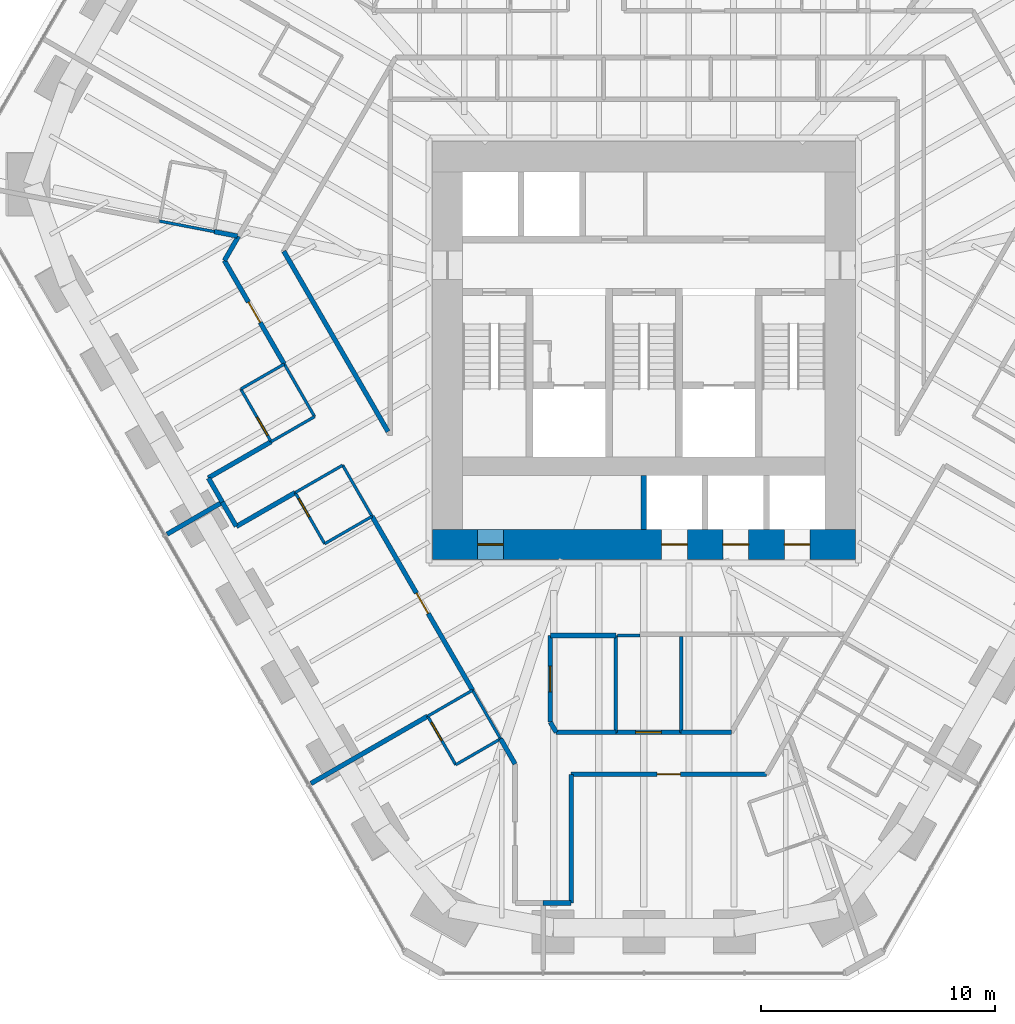
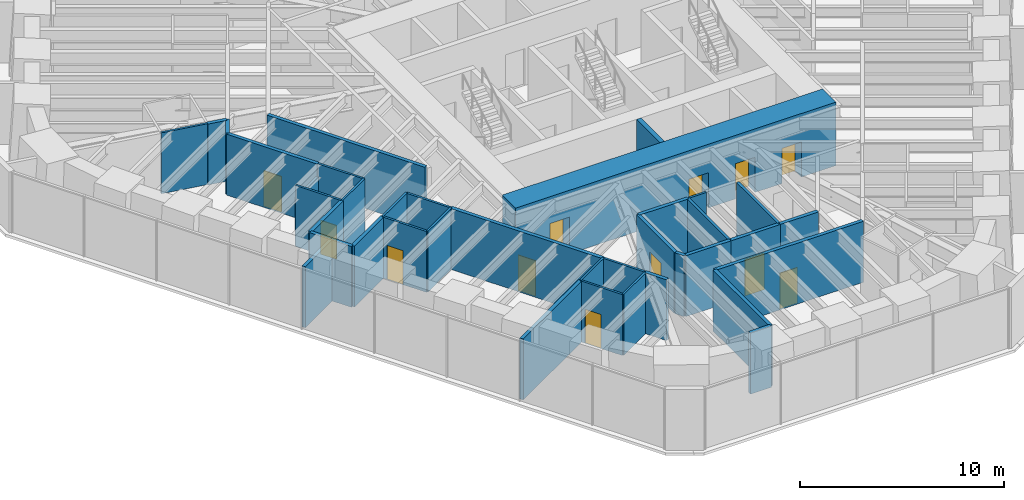
# One storey, part 11 of 18: 39 walls, 12 doors, 12 openings.
"""IFC4 building model written with IfcOpenShell, lengths in metres."""

from ifc_helpers import new_model, si_unit, direction, frame, frame_2d, origin, place, context, subcontext, project, spatial, rectangle, extrude, material, layer, layer_set, type_object, element, fill, save


model = new_model("IFC4")

# Units and contexts
model_context = context("Model", 3, precision=1e-05, world=origin(), true_north=direction((0.0, 1.0)))
body_context = subcontext(model_context, "Body", "Model", "MODEL_VIEW")
ifc_project = project(units=[si_unit("LENGTHUNIT", "METRE"), si_unit("AREAUNIT", "SQUARE_METRE"), si_unit("VOLUMEUNIT", "CUBIC_METRE"), si_unit("PLANEANGLEUNIT", "RADIAN"), si_unit("MASSUNIT", "GRAM", prefix="KILO")], contexts=[model_context])

# Site, building, storey
site_placement = place(None, origin())
site = spatial("IfcSite", under=ifc_project, at=site_placement, CompositionType="ELEMENT")
building_placement = place(site_placement, origin())
building = spatial("IfcBuilding", under=site, at=building_placement, Name="Sandreach Pilgrim Tower", CompositionType="ELEMENT")
storey_placement = place(building_placement, frame((0.0, 0.0, 157.60009765625)))
storey = spatial("IfcBuildingStorey", under=building, at=storey_placement, Name="L39", CompositionType="ELEMENT", Elevation=157.60009765625)

# Walls
ifc_material_1 = material(Name="Gypsum board on steel studs", Category="steel")
ifc_layer_1 = layer(ifc_material_1, 0.14990234375)
ifc_layer_set_1 = layer_set([ifc_layer_1], Name="Back of house wall 150")
wall_type_1 = type_object("IfcWallType", Name="Back of house wall 150", PredefinedType="PARTITIONING", material=ifc_layer_set_1)
wall_1_placement = place(storey_placement, frame((-1.199951171875, -13.75, 0.0), z_axis=(0.0, 0.0, 1.0), x_axis=(0.0, -1.0, 0.0)))
element("IfcWall", 1, at=wall_1_placement, inside=storey, type_object=wall_type_1, Name="Back of house wall L39-078", PredefinedType="PARTITIONING", context=body_context, shape_type="SweptSolid", body=[
    extrude(rectangle(XDim=4.139892578125, YDim=0.14990234375, at=frame_2d((2.06982421875, 0.0))), origin(), (0.0, 0.0, 1.0), 3.639892578125),
])
wall_2_placement = place(storey_placement, frame((1.60009765625, -13.800048828125, 0.0), z_axis=(0.0, 0.0, 1.0), x_axis=(0.0, -1.0, 0.0)))
element("IfcWall", 2, at=wall_2_placement, inside=storey, type_object=wall_type_1, Name="Back of house wall L39-083", PredefinedType="PARTITIONING", context=body_context, shape_type="SweptSolid", body=[
    extrude(rectangle(XDim=4.08984375, YDim=0.14990234375, at=frame_2d((2.044921875, 0.0))), origin(), (0.0, 0.0, 1.0), 3.639892578125),
])
ifc_material_2 = material(Name="Moisture-resistant gypsum board on steel studs", Category="steel")
ifc_layer_2 = layer(ifc_material_2, 0.1201171875)
ifc_layer_set_2 = layer_set([ifc_layer_2], Name="Bathroom partition 120")
wall_type_2 = type_object("IfcWallType", Name="Bathroom partition 120", PredefinedType="PARTITIONING", material=ifc_layer_set_2)
wall_3_placement = place(storey_placement, frame((-20.72998046875, 3.989990234375, 0.0), z_axis=(0.0, 0.0, 1.0), x_axis=(0.982021000234, -0.188771701001, 0.0)))
element("IfcWall", 3, at=wall_3_placement, inside=storey, type_object=wall_type_2, Name="Bathroom partition L39-003", PredefinedType="PARTITIONING", context=body_context, shape_type="SweptSolid", body=[
    extrude(rectangle(XDim=2.392578125, YDim=0.1201171875, at=frame_2d((1.1962890625, 0.0))), origin(), (0.0, 0.0, 1.0), 3.639892578125),
])

# Wall, opening, door
wall_4_placement = place(storey_placement, frame((-17.25, -3.199951171875, 0.0), z_axis=(0.0, 0.0, 1.0), x_axis=(0.500291685314, -0.865856933682, 0.0)))
wall_4 = element("IfcWall", 4, at=wall_4_placement, inside=storey, type_object=wall_type_2, Name="Bathroom partition L39-021", PredefinedType="PARTITIONING", context=body_context, shape_type="SweptSolid", body=[
    extrude(rectangle(XDim=2.5986328125, YDim=0.1201171875, at=frame_2d((1.29931640625, 0.0))), origin(), (0.0, 0.0, 1.0), 3.639892578125),
])
opening_1_placement = place(wall_4_placement, frame((1.398681640625, 0.0, 0.0)))
opening_1 = element("IfcOpeningElement", 5, at=opening_1_placement, cuts=wall_4, Name="Opening D09-13B", PredefinedType="OPENING", context=body_context, shape_type="SweptSolid", body=[
    extrude(rectangle(XDim=0.89990234375, YDim=2.030029296875, at=frame_2d((0.449951171875, 1.01513671875))), frame((0.0, 0.06005859375, 0.0), z_axis=(0.0, -1.0, 0.0), x_axis=(1.0, 0.0, 0.0)), (0.0, 0.0, 1.0), 0.1201171875),
])
ifc_material_3 = material(Name="Timber door, steel frame", Category="steel")
door_type_1 = type_object("IfcDoorType", Name="Bathroom door", OperationType="SINGLE_SWING_LEFT", PredefinedType="DOOR", material=ifc_material_3)
door_1_placement = place(opening_1_placement, origin())
door_1 = element("IfcDoor", 6, at=door_1_placement, inside=storey, type_object=door_type_1, Name="Door 3913B", OperationType="SINGLE_SWING_RIGHT", OverallHeight=2.030029296875, OverallWidth=0.89990234375, PredefinedType="DOOR", context=body_context, shape_type="SweptSolid", body=[
    extrude(rectangle(XDim=0.89990234375, YDim=2.030029296875, at=frame_2d((0.449951171875, 1.01513671875))), frame((0.0, 0.02490234375, 0.0), z_axis=(0.0, -1.0, 0.0), x_axis=(1.0, 0.0, 0.0)), (0.0, 0.0, 1.0), 0.050048828125),
])
fill(opening_1, door_1)

# Walls
wall_5_placement = place(storey_placement, frame((-15.949462890625, -5.45068359375, 0.0), z_axis=(0.0, 0.0, 1.0), x_axis=(0.866620965835, 0.498967034557, 0.0)))
element("IfcWall", 7, at=wall_5_placement, inside=storey, type_object=wall_type_2, Name="Bathroom partition L39-023", PredefinedType="PARTITIONING", context=body_context, shape_type="SweptSolid", body=[
    extrude(rectangle(XDim=2.1455078125, YDim=0.1201171875, at=frame_2d((1.07275390625, 0.0))), origin(), (0.0, 0.0, 1.0), 3.639892578125),
])
wall_6_placement = place(storey_placement, frame((-15.389892578125, -2.1298828125, 0.0), z_axis=(0.0, 0.0, 1.0), x_axis=(-0.866804272416, -0.498648526841, 0.0)))
element("IfcWall", 8, at=wall_6_placement, inside=storey, type_object=wall_type_2, Name="Bathroom partition L39-026", PredefinedType="PARTITIONING", context=body_context, shape_type="SweptSolid", body=[
    extrude(rectangle(XDim=2.14599609375, YDim=0.1201171875, at=frame_2d((1.072998046875, 0.0))), origin(), (0.0, 0.0, 1.0), 2.8779296875),
])
wall_7_placement = place(storey_placement, frame((-15.389892578125, -2.1298828125, 0.0), z_axis=(0.0, 0.0, 1.0), x_axis=(0.500180550803, -0.865921137632, 0.0)))
element("IfcWall", 9, at=wall_7_placement, inside=storey, type_object=wall_type_2, Name="Bathroom partition L39-027", PredefinedType="PARTITIONING", context=body_context, shape_type="SweptSolid", body=[
    extrude(rectangle(XDim=2.5986328125, YDim=0.1201171875, at=frame_2d((1.29931640625, 0.0))), origin(), (0.0, 0.0, 1.0), 3.639892578125),
])

# Wall, opening, door
wall_8_placement = place(storey_placement, frame((-14.919921875, -7.6298828125, 0.0), z_axis=(0.0, 0.0, 1.0), x_axis=(0.498665353881, -0.866794592068, 0.0)))
wall_8 = element("IfcWall", 10, at=wall_8_placement, inside=storey, type_object=wall_type_2, Name="Bathroom partition L39-030", PredefinedType="PARTITIONING", context=body_context, shape_type="SweptSolid", body=[
    extrude(rectangle(XDim=2.52685546875, YDim=0.1201171875, at=frame_2d((1.263427734375, 0.0))), origin(), (0.0, 0.0, 1.0), 3.639892578125),
])
opening_2_placement = place(wall_8_placement, frame((0.300048828125, 0.0, 0.0)))
opening_2 = element("IfcOpeningElement", 11, at=opening_2_placement, cuts=wall_8, Name="Opening D09-12B", PredefinedType="OPENING", context=body_context, shape_type="SweptSolid", body=[
    extrude(rectangle(XDim=0.89990234375, YDim=2.030029296875, at=frame_2d((0.449951171875, 1.01513671875))), frame((0.0, 0.06005859375, 0.0), z_axis=(0.0, -1.0, 0.0), x_axis=(1.0, 0.0, 0.0)), (0.0, 0.0, 1.0), 0.1201171875),
])
door_2_placement = place(opening_2_placement, origin())
door_2 = element("IfcDoor", 12, at=door_2_placement, inside=storey, type_object=door_type_1, Name="Door 3912B", OperationType="SINGLE_SWING_LEFT", OverallHeight=2.030029296875, OverallWidth=0.89990234375, PredefinedType="DOOR", context=body_context, shape_type="SweptSolid", body=[
    extrude(rectangle(XDim=0.89990234375, YDim=2.030029296875, at=frame_2d((0.449951171875, 1.01513671875))), frame((0.0, 0.02490234375, 0.0), z_axis=(0.0, -1.0, 0.0), x_axis=(1.0, 0.0, 0.0)), (0.0, 0.0, 1.0), 0.050048828125),
])
fill(opening_2, door_2)

# Walls
wall_9_placement = place(storey_placement, frame((-14.919921875, -7.6298828125, 0.0), z_axis=(0.0, 0.0, 1.0), x_axis=(0.866390229467, 0.499367570316, 0.0)))
element("IfcWall", 13, at=wall_9_placement, inside=storey, type_object=wall_type_2, Name="Bathroom partition L39-031", PredefinedType="PARTITIONING", context=body_context, shape_type="SweptSolid", body=[
    extrude(rectangle(XDim=2.3427734375, YDim=0.1201171875, at=frame_2d((1.17138671875, 0.0))), origin(), (0.0, 0.0, 1.0), 3.639892578125),
])
wall_10_placement = place(storey_placement, frame((-13.659912109375, -9.820068359375, 0.0), z_axis=(0.0, 0.0, 1.0), x_axis=(0.866345142729, 0.499445786517, 0.0)))
element("IfcWall", 14, at=wall_10_placement, inside=storey, type_object=wall_type_2, Name="Bathroom partition L39-035", PredefinedType="PARTITIONING", context=body_context, shape_type="SweptSolid", body=[
    extrude(rectangle(XDim=2.343017578125, YDim=0.1201171875, at=frame_2d((1.17138671875, 0.0))), origin(), (0.0, 0.0, 1.0), 3.639892578125),
])
wall_11_placement = place(storey_placement, frame((-12.889892578125, -6.4599609375, 0.0), z_axis=(0.0, 0.0, 1.0), x_axis=(0.498707120669, -0.866770562372, 0.0)))
element("IfcWall", 15, at=wall_11_placement, inside=storey, type_object=wall_type_2, Name="Bathroom partition L39-036", PredefinedType="PARTITIONING", context=body_context, shape_type="SweptSolid", body=[
    extrude(rectangle(XDim=2.526611328125, YDim=0.1201171875, at=frame_2d((1.26318359375, 0.0))), origin(), (0.0, 0.0, 1.0), 3.639892578125),
])

# Wall, opening, door
wall_12_placement = place(storey_placement, frame((-9.25, -17.199951171875, 0.0), z_axis=(0.0, 0.0, 1.0), x_axis=(0.499693115345, -0.866202511239, 0.0)))
wall_12 = element("IfcWall", 16, at=wall_12_placement, inside=storey, type_object=wall_type_2, Name="Bathroom partition L39-047", PredefinedType="PARTITIONING", context=body_context, shape_type="SweptSolid", body=[
    extrude(rectangle(XDim=2.4013671875, YDim=0.1201171875, at=frame_2d((1.20068359375, 0.0))), origin(), (0.0, 0.0, 1.0), 3.639892578125),
])
opening_3_placement = place(wall_12_placement, frame((0.300048828125, 0.0, 0.0)))
opening_3 = element("IfcOpeningElement", 17, at=opening_3_placement, cuts=wall_12, Name="Opening D09-11B", PredefinedType="OPENING", context=body_context, shape_type="SweptSolid", body=[
    extrude(rectangle(XDim=0.89990234375, YDim=2.030029296875, at=frame_2d((0.449951171875, 1.01513671875))), frame((0.0, 0.06005859375, 0.0), z_axis=(0.0, -1.0, 0.0), x_axis=(1.0, 0.0, 0.0)), (0.0, 0.0, 1.0), 0.1201171875),
])
door_3_placement = place(opening_3_placement, origin())
door_3 = element("IfcDoor", 18, at=door_3_placement, inside=storey, type_object=door_type_1, Name="Door 3911B", OperationType="SINGLE_SWING_LEFT", OverallHeight=2.030029296875, OverallWidth=0.89990234375, PredefinedType="DOOR", context=body_context, shape_type="SweptSolid", body=[
    extrude(rectangle(XDim=0.89990234375, YDim=2.030029296875, at=frame_2d((0.449951171875, 1.01513671875))), frame((0.0, 0.02490234375, 0.0), z_axis=(0.0, -1.0, 0.0), x_axis=(1.0, 0.0, 0.0)), (0.0, 0.0, 1.0), 0.050048828125),
])
fill(opening_3, door_3)

# Walls
wall_13_placement = place(storey_placement, frame((-9.25, -17.199951171875, 0.0), z_axis=(0.0, 0.0, 1.0), x_axis=(0.86575271903, 0.500472006703, 0.0)))
element("IfcWall", 19, at=wall_13_placement, inside=storey, type_object=wall_type_2, Name="Bathroom partition L39-048", PredefinedType="PARTITIONING", context=body_context, shape_type="SweptSolid", body=[
    extrude(rectangle(XDim=2.217529296875, YDim=0.1201171875, at=frame_2d((1.10888671875, 0.0))), origin(), (0.0, 0.0, 1.0), 3.639892578125),
])
wall_14_placement = place(storey_placement, frame((-8.050048828125, -19.280029296875, 0.0), z_axis=(0.0, 0.0, 1.0), x_axis=(0.865732595383, 0.500506816428, 0.0)))
element("IfcWall", 20, at=wall_14_placement, inside=storey, type_object=wall_type_2, Name="Bathroom partition L39-051", PredefinedType="PARTITIONING", context=body_context, shape_type="SweptSolid", body=[
    extrude(rectangle(XDim=2.218017578125, YDim=0.1201171875, at=frame_2d((1.10888671875, 0.0))), origin(), (0.0, 0.0, 1.0), 3.639892578125),
])
wall_15_placement = place(storey_placement, frame((-7.330078125, -16.090087890625, 0.0), z_axis=(0.0, 0.0, 1.0), x_axis=(0.499737123639, -0.866177122335, 0.0)))
element("IfcWall", 21, at=wall_15_placement, inside=storey, type_object=wall_type_2, Name="Bathroom partition L39-052", PredefinedType="PARTITIONING", context=body_context, shape_type="SweptSolid", body=[
    extrude(rectangle(XDim=2.401123046875, YDim=0.1201171875, at=frame_2d((1.20068359375, 0.0))), origin(), (0.0, 0.0, 1.0), 3.639892578125),
])
wall_16_placement = place(storey_placement, frame((-1.125, -13.75, 0.0), z_axis=(0.0, 0.0, 1.0), x_axis=(1.0, 0.0, 0.0)))
element("IfcWall", 22, at=wall_16_placement, inside=storey, type_object=wall_type_2, Name="Bathroom partition L39-079", PredefinedType="PARTITIONING", context=body_context, shape_type="SweptSolid", body=[
    extrude(rectangle(XDim=0.955078125, YDim=0.1201171875, at=frame_2d((0.4775390625, 0.0))), origin(), (0.0, 0.0, 1.0), 3.639892578125),
])

# Wall, openings, doors
ifc_material_4 = material(Name="Concrete 10000 psi", Category="concrete")
ifc_layer_3 = layer(ifc_material_4, 1.300048828125)
ifc_layer_set_3 = layer_set([ifc_layer_3], Name="Core wall 1300")
wall_type_3 = type_object("IfcWallType", Name="Core wall 1300", PredefinedType="SHEAR", material=ifc_layer_set_3)
wall_17_placement = place(storey_placement, frame((-9.050048828125, -9.85009765625, 0.0), z_axis=(0.0, 0.0, 1.0), x_axis=(1.0, 0.0, 0.0)))
wall_17 = element("IfcWall", 23, at=wall_17_placement, inside=storey, type_object=wall_type_3, Name="Core wall S L39", PredefinedType="SHEAR", context=body_context, shape_type="SweptSolid", body=[
    extrude(rectangle(XDim=18.10009765625, YDim=1.300048828125, at=frame_2d((9.050048828125, 0.0))), origin(), (0.0, 0.0, 1.0), 3.7998046875),
])
opening_4_placement = place(wall_17_placement, frame((1.9375, 0.0, 0.0)))
opening_4 = element("IfcOpeningElement", 24, at=opening_4_placement, cuts=wall_17, Name="Opening D11H", PredefinedType="OPENING", context=body_context, shape_type="SweptSolid", body=[
    extrude(rectangle(XDim=1.10009765625, YDim=2.199951171875, at=frame_2d((0.550048828125, 1.10009765625))), frame((0.0, 0.64990234375, 0.0), z_axis=(0.0, -1.0, 0.0), x_axis=(1.0, 0.0, 0.0)), (0.0, 0.0, 1.0), 1.300048828125),
])
opening_5_placement = place(wall_17_placement, frame((9.8125, 0.0, 0.0)))
opening_5 = element("IfcOpeningElement", 25, at=opening_5_placement, cuts=wall_17, Name="Opening LD11", PredefinedType="OPENING", context=body_context, shape_type="SweptSolid", body=[
    extrude(rectangle(XDim=1.10009765625, YDim=2.10009765625, at=frame_2d((0.550048828125, 1.050048828125))), frame((0.0, 0.64990234375, 0.0), z_axis=(0.0, -1.0, 0.0), x_axis=(1.0, 0.0, 0.0)), (0.0, 0.0, 1.0), 1.300048828125),
])
opening_6_placement = place(wall_17_placement, frame((12.4375, 0.0, 0.0)))
opening_6 = element("IfcOpeningElement", 26, at=opening_6_placement, cuts=wall_17, Name="Opening LD11", PredefinedType="OPENING", context=body_context, shape_type="SweptSolid", body=[
    extrude(rectangle(XDim=1.10009765625, YDim=2.10009765625, at=frame_2d((0.550048828125, 1.050048828125))), frame((0.0, 0.64990234375, 0.0), z_axis=(0.0, -1.0, 0.0), x_axis=(1.0, 0.0, 0.0)), (0.0, 0.0, 1.0), 1.300048828125),
])
opening_7_placement = place(wall_17_placement, frame((15.0625, 0.0, 0.0)))
opening_7 = element("IfcOpeningElement", 27, at=opening_7_placement, cuts=wall_17, Name="Opening LD11", PredefinedType="OPENING", context=body_context, shape_type="SweptSolid", body=[
    extrude(rectangle(XDim=1.10009765625, YDim=2.10009765625, at=frame_2d((0.550048828125, 1.050048828125))), frame((0.0, 0.64990234375, 0.0), z_axis=(0.0, -1.0, 0.0), x_axis=(1.0, 0.0, 0.0)), (0.0, 0.0, 1.0), 1.300048828125),
])
ifc_material_5 = material(Name="Steel door and frame", Category="steel")
door_type_2 = type_object("IfcDoorType", Name="Back of house door", OperationType="SINGLE_SWING_LEFT", PredefinedType="DOOR", material=ifc_material_5)
door_4_placement = place(opening_4_placement, origin())
door_4 = element("IfcDoor", 28, at=door_4_placement, inside=storey, type_object=door_type_2, Name="Door staff room 39K3", OperationType="SINGLE_SWING_LEFT", OverallHeight=2.199951171875, OverallWidth=1.10009765625, PredefinedType="DOOR", context=body_context, shape_type="SweptSolid", body=[
    extrude(rectangle(XDim=1.10009765625, YDim=2.199951171875, at=frame_2d((0.550048828125, 1.10009765625))), frame((0.0, 0.02490234375, 0.0), z_axis=(0.0, -1.0, 0.0), x_axis=(1.0, 0.0, 0.0)), (0.0, 0.0, 1.0), 0.050048828125),
])
fill(opening_4, door_4)
ifc_material_6 = material(Name="Steel door and frame", Category="steel")
door_type_3 = type_object("IfcDoorType", Name="Lift landing door", OperationType="DOUBLE_DOOR_SLIDING", PredefinedType="DOOR", material=ifc_material_6)
door_5_placement = place(opening_5_placement, origin())
door_5 = element("IfcDoor", 29, at=door_5_placement, inside=storey, type_object=door_type_3, Name="Lift landing door Z2A L39", OperationType="DOUBLE_DOOR_SLIDING", OverallHeight=2.10009765625, OverallWidth=1.10009765625, PredefinedType="DOOR", context=body_context, shape_type="SweptSolid", body=[
    extrude(rectangle(XDim=1.10009765625, YDim=2.10009765625, at=frame_2d((0.550048828125, 1.050048828125))), frame((0.0, 0.02490234375, 0.0), z_axis=(0.0, -1.0, 0.0), x_axis=(1.0, 0.0, 0.0)), (0.0, 0.0, 1.0), 0.050048828125),
])
fill(opening_5, door_5)
door_6_placement = place(opening_6_placement, origin())
door_6 = element("IfcDoor", 30, at=door_6_placement, inside=storey, type_object=door_type_3, Name="Lift landing door Z2B L39", OperationType="DOUBLE_DOOR_SLIDING", OverallHeight=2.10009765625, OverallWidth=1.10009765625, PredefinedType="DOOR", context=body_context, shape_type="SweptSolid", body=[
    extrude(rectangle(XDim=1.10009765625, YDim=2.10009765625, at=frame_2d((0.550048828125, 1.050048828125))), frame((0.0, 0.02490234375, 0.0), z_axis=(0.0, -1.0, 0.0), x_axis=(1.0, 0.0, 0.0)), (0.0, 0.0, 1.0), 0.050048828125),
])
fill(opening_6, door_6)
door_7_placement = place(opening_7_placement, origin())
door_7 = element("IfcDoor", 31, at=door_7_placement, inside=storey, type_object=door_type_3, Name="Lift landing door Z2C L39", OperationType="DOUBLE_DOOR_SLIDING", OverallHeight=2.10009765625, OverallWidth=1.10009765625, PredefinedType="DOOR", context=body_context, shape_type="SweptSolid", body=[
    extrude(rectangle(XDim=1.10009765625, YDim=2.10009765625, at=frame_2d((0.550048828125, 1.050048828125))), frame((0.0, 0.02490234375, 0.0), z_axis=(0.0, -1.0, 0.0), x_axis=(1.0, 0.0, 0.0)), (0.0, 0.0, 1.0), 0.050048828125),
])
fill(opening_7, door_7)

# Walls
ifc_material_7 = material(Name="Gypsum board on steel studs, two layers each side", Category="steel")
ifc_layer_4 = layer(ifc_material_7, 0.199951171875)
ifc_layer_set_4 = layer_set([ifc_layer_4], Name="Corridor wall 200")
wall_type_4 = type_object("IfcWallType", Name="Corridor wall 200", PredefinedType="PARTITIONING", material=ifc_layer_set_4)
wall_18_placement = place(storey_placement, frame((-18.639892578125, -7.0, 0.0), z_axis=(0.0, 0.0, 1.0), x_axis=(0.866583298242, 0.499032451057, 0.0)))
element("IfcWall", 32, at=wall_18_placement, inside=storey, type_object=wall_type_4, Name="Corridor wall L39-011", PredefinedType="PARTITIONING", context=body_context, shape_type="SweptSolid", body=[
    extrude(rectangle(XDim=3.104736328125, YDim=0.199951171875, at=frame_2d((1.55224609375, 0.0))), origin(), (0.0, 0.0, 1.0), 3.639892578125),
])
for number, where, z_axis, x_axis, name in (
    (33, (-18.632568359375, -7.012939453125, 0.0), (0.0, 0.0, 1.0), (0.499704629046, -0.866195869137, 0.0), "Corridor wall L39-012"),
    (34, (-18.0400390625, -8.0400390625, 0.0), (0.0, 0.0, 1.0), (0.499704629046, -0.866195869137, 0.0), "Corridor wall L39-015"),
):
    element("IfcWall", number, at=place(storey_placement, frame(where, z_axis=z_axis, x_axis=x_axis)), inside=storey, type_object=wall_type_4, Name=name, PredefinedType="PARTITIONING", context=body_context, shape_type="SweptSolid", body=[
        extrude(rectangle(XDim=1.185791015625, YDim=0.199951171875, at=frame_2d((0.5927734375, 0.0))), origin(), (0.0, 0.0, 1.0), 3.639892578125),
    ])
wall_19_placement = place(storey_placement, frame((-17.949951171875, 2.300048828125, 0.0), z_axis=(0.0, 0.0, 1.0), x_axis=(0.500795801589, 0.865565459749, 0.0)))
element("IfcWall", 35, at=wall_19_placement, inside=storey, type_object=wall_type_4, Name="Corridor wall L39-016", PredefinedType="PARTITIONING", context=body_context, shape_type="SweptSolid", body=[
    extrude(rectangle(XDim=1.20068359375, YDim=0.199951171875, at=frame_2d((0.600341796875, 0.0))), origin(), (0.0, 0.0, 1.0), 3.639892578125),
])

# Wall, opening, door
wall_20_placement = place(storey_placement, frame((-17.949951171875, 2.300048828125, 0.0), z_axis=(0.0, 0.0, 1.0), x_axis=(0.500336423072, -0.865831082687, 0.0)))
wall_20 = element("IfcWall", 36, at=wall_20_placement, inside=storey, type_object=wall_type_4, Name="Corridor wall L39-017", PredefinedType="PARTITIONING", context=body_context, shape_type="SweptSolid", body=[
    extrude(rectangle(XDim=5.11669921875, YDim=0.199951171875, at=frame_2d((2.558349609375, 0.0))), origin(), (0.0, 0.0, 1.0), 3.639892578125),
])
opening_8_placement = place(wall_20_placement, frame((2.058349609375, 0.0, 0.0)))
opening_8 = element("IfcOpeningElement", 37, at=opening_8_placement, cuts=wall_20, Name="Opening D10-13", PredefinedType="OPENING", context=body_context, shape_type="SweptSolid", body=[
    extrude(rectangle(XDim=1.0, YDim=2.1298828125, at=frame_2d((0.5, 1.06494140625))), frame((0.0, 0.10009765625, 0.0), z_axis=(0.0, -1.0, 0.0), x_axis=(1.0, 0.0, 0.0)), (0.0, 0.0, 1.0), 0.199951171875),
])
ifc_material_8 = material(Name="Steel door and frame", Category="steel")
door_type_4 = type_object("IfcDoorType", Name="Guest room entry door", OperationType="SINGLE_SWING_LEFT", PredefinedType="DOOR", material=ifc_material_8)
door_8_placement = place(opening_8_placement, origin())
door_8 = element("IfcDoor", 38, at=door_8_placement, inside=storey, type_object=door_type_4, Name="Door 3913", OperationType="SINGLE_SWING_LEFT", OverallHeight=2.1298828125, OverallWidth=1.0, PredefinedType="DOOR", context=body_context, shape_type="SweptSolid", body=[
    extrude(rectangle(XDim=1.0, YDim=2.1298828125, at=frame_2d((0.5, 1.06494140625))), frame((0.0, 0.02490234375, 0.0), z_axis=(0.0, -1.0, 0.0), x_axis=(1.0, 0.0, 0.0)), (0.0, 0.0, 1.0), 0.050048828125),
])
fill(opening_8, door_8)

# Wall
wall_21_placement = place(storey_placement, frame((-17.43994140625, -9.080078125, 0.0), z_axis=(0.0, 0.0, 1.0), x_axis=(0.866730264696, 0.498777152906, 0.0)))
element("IfcWall", 39, at=wall_21_placement, inside=storey, type_object=wall_type_4, Name="Corridor wall L39-019", PredefinedType="PARTITIONING", context=body_context, shape_type="SweptSolid", body=[
    extrude(rectangle(XDim=2.907470703125, YDim=0.199951171875, at=frame_2d((1.45361328125, 0.0))), origin(), (0.0, 0.0, 1.0), 3.639892578125),
])

# Wall, opening, door
wall_22_placement = place(storey_placement, frame((-11.6298828125, -8.64990234375, 0.0), z_axis=(0.0, 0.0, 1.0), x_axis=(0.500367528775, -0.865813106939, 0.0)))
wall_22 = element("IfcWall", 40, at=wall_22_placement, inside=storey, type_object=wall_type_4, Name="Corridor wall L39-038", PredefinedType="PARTITIONING", context=body_context, shape_type="SweptSolid", body=[
    extrude(rectangle(XDim=8.59326171875, YDim=0.199951171875, at=frame_2d((4.296630859375, 0.0))), origin(), (0.0, 0.0, 1.0), 3.639892578125),
])
opening_9_placement = place(wall_22_placement, frame((3.796630859375, 0.0, 0.0)))
opening_9 = element("IfcOpeningElement", 41, at=opening_9_placement, cuts=wall_22, Name="Opening D10-12", PredefinedType="OPENING", context=body_context, shape_type="SweptSolid", body=[
    extrude(rectangle(XDim=1.0, YDim=2.1298828125, at=frame_2d((0.5, 1.06494140625))), frame((0.0, 0.10009765625, 0.0), z_axis=(0.0, -1.0, 0.0), x_axis=(1.0, 0.0, 0.0)), (0.0, 0.0, 1.0), 0.199951171875),
])
door_9_placement = place(opening_9_placement, origin())
door_9 = element("IfcDoor", 42, at=door_9_placement, inside=storey, type_object=door_type_4, Name="Door 3912", OperationType="SINGLE_SWING_LEFT", OverallHeight=2.1298828125, OverallWidth=1.0, PredefinedType="DOOR", context=body_context, shape_type="SweptSolid", body=[
    extrude(rectangle(XDim=1.0, YDim=2.1298828125, at=frame_2d((0.5, 1.06494140625))), frame((0.0, 0.02490234375, 0.0), z_axis=(0.0, -1.0, 0.0), x_axis=(1.0, 0.0, 0.0)), (0.0, 0.0, 1.0), 0.050048828125),
])
fill(opening_9, door_9)

# Walls
wall_23_placement = place(storey_placement, frame((-10.947509765625, -5.021240234375, 0.0), z_axis=(0.0, 0.0, 1.0), x_axis=(-0.500384322182, 0.865803401538, 0.0)))
element("IfcWall", 43, at=wall_23_placement, inside=storey, type_object=wall_type_4, Name="Corridor wall L39-041", PredefinedType="PARTITIONING", context=body_context, shape_type="SweptSolid", body=[
    extrude(rectangle(XDim=8.91796875, YDim=0.199951171875, at=frame_2d((4.458984375, 0.0))), origin(), (0.0, 0.0, 1.0), 3.639892578125),
])
wall_24_placement = place(storey_placement, frame((-6.1298828125, -18.169921875, 0.0), z_axis=(0.0, 0.0, 1.0), x_axis=(0.497763752085, -0.867312658221, 0.0)))
element("IfcWall", 44, at=wall_24_placement, inside=storey, type_object=wall_type_4, Name="Corridor wall L39-056", PredefinedType="PARTITIONING", context=body_context, shape_type="SweptSolid", body=[
    extrude(rectangle(XDim=1.245361328125, YDim=0.199951171875, at=frame_2d((0.62255859375, 0.0))), origin(), (0.0, 0.0, 1.0), 3.639892578125),
])
wall_25_placement = place(storey_placement, frame((-4.31005859375, -25.199951171875, 0.0), z_axis=(0.0, 0.0, 1.0), x_axis=(1.0, 0.0, 0.0)))
element("IfcWall", 45, at=wall_25_placement, inside=storey, type_object=wall_type_4, Name="Corridor wall L39-062", PredefinedType="PARTITIONING", context=body_context, shape_type="SweptSolid", body=[
    extrude(rectangle(XDim=1.18505859375, YDim=0.199951171875, at=frame_2d((0.592529296875, 0.0))), origin(), (0.0, 0.0, 1.0), 3.639892578125),
])

# Wall, opening, door
wall_26_placement = place(storey_placement, frame((-4.0, -17.4599609375, 0.0), z_axis=(0.0, 0.0, 1.0), x_axis=(0.0, 1.0, 0.0)))
wall_26 = element("IfcWall", 46, at=wall_26_placement, inside=storey, type_object=wall_type_4, Name="Corridor wall L39-063", PredefinedType="PARTITIONING", context=body_context, shape_type="SweptSolid", body=[
    extrude(rectangle(XDim=3.7099609375, YDim=0.199951171875, at=frame_2d((1.85498046875, 0.0))), origin(), (0.0, 0.0, 1.0), 3.639892578125),
])
opening_10_placement = place(wall_26_placement, frame((1.304931640625, 0.0, 0.0)))
opening_10 = element("IfcOpeningElement", 47, at=opening_10_placement, cuts=wall_26, Name="Opening D11H-S2", PredefinedType="OPENING", context=body_context, shape_type="SweptSolid", body=[
    extrude(rectangle(XDim=1.10009765625, YDim=2.199951171875, at=frame_2d((0.550048828125, 1.10009765625))), frame((0.0, 0.10009765625, 0.0), z_axis=(0.0, -1.0, 0.0), x_axis=(1.0, 0.0, 0.0)), (0.0, 0.0, 1.0), 0.199951171875),
])
door_10_placement = place(opening_10_placement, origin())
door_10 = element("IfcDoor", 48, at=door_10_placement, inside=storey, type_object=door_type_2, Name="Door 39S2", OperationType="SINGLE_SWING_LEFT", OverallHeight=2.199951171875, OverallWidth=1.10009765625, PredefinedType="DOOR", context=body_context, shape_type="SweptSolid", body=[
    extrude(rectangle(XDim=1.10009765625, YDim=2.199951171875, at=frame_2d((0.550048828125, 1.10009765625))), frame((0.0, 0.02490234375, 0.0), z_axis=(0.0, -1.0, 0.0), x_axis=(1.0, 0.0, 0.0)), (0.0, 0.0, 1.0), 0.050048828125),
])
fill(opening_10, door_10)

# Walls
wall_27_placement = place(storey_placement, frame((-3.989990234375, -13.75, 0.0), z_axis=(0.0, 0.0, 1.0), x_axis=(1.0, 0.0, 0.0)))
element("IfcWall", 49, at=wall_27_placement, inside=storey, type_object=wall_type_4, Name="Corridor wall L39-064", PredefinedType="PARTITIONING", context=body_context, shape_type="SweptSolid", body=[
    extrude(rectangle(XDim=2.7900390625, YDim=0.199951171875, at=frame_2d((1.39501953125, 0.0))), origin(), (0.0, 0.0, 1.0), 3.639892578125),
])
wall_28_placement = place(storey_placement, frame((-3.75, -17.889892578125, 0.0), z_axis=(0.0, 0.0, 1.0), x_axis=(-0.502680181512, 0.864472460588, 0.0)))
element("IfcWall", 50, at=wall_28_placement, inside=storey, type_object=wall_type_4, Name="Corridor wall L39-065", PredefinedType="PARTITIONING", context=body_context, shape_type="SweptSolid", body=[
    extrude(rectangle(XDim=0.497314453125, YDim=0.199951171875, at=frame_2d((0.24853515625, 0.0))), origin(), (0.0, 0.0, 1.0), 3.639892578125),
])
wall_29_placement = place(storey_placement, frame((-3.110107421875, -25.199951171875, 0.0), z_axis=(0.0, 0.0, 1.0), x_axis=(0.0, 1.0, 0.0)))
element("IfcWall", 51, at=wall_29_placement, inside=storey, type_object=wall_type_4, Name="Corridor wall L39-070", PredefinedType="PARTITIONING", context=body_context, shape_type="SweptSolid", body=[
    extrude(rectangle(XDim=5.494873046875, YDim=0.199951171875, at=frame_2d((2.74755859375, 0.0))), origin(), (0.0, 0.0, 1.0), 3.639892578125),
])

# Wall, opening, door
wall_30_placement = place(storey_placement, frame((-3.110107421875, -19.68994140625, 0.0), z_axis=(0.0, 0.0, 1.0), x_axis=(1.0, 0.0, 0.0)))
wall_30 = element("IfcWall", 52, at=wall_30_placement, inside=storey, type_object=wall_type_4, Name="Corridor wall L39-071", PredefinedType="PARTITIONING", context=body_context, shape_type="SweptSolid", body=[
    extrude(rectangle(XDim=8.360107421875, YDim=0.199951171875, at=frame_2d((4.18017578125, 0.0))), origin(), (0.0, 0.0, 1.0), 3.639892578125),
])
opening_11_placement = place(wall_30_placement, frame((3.679931640625, 0.0, 0.0)))
opening_11 = element("IfcOpeningElement", 53, at=opening_11_placement, cuts=wall_30, Name="Opening D10-10", PredefinedType="OPENING", context=body_context, shape_type="SweptSolid", body=[
    extrude(rectangle(XDim=1.0, YDim=2.1298828125, at=frame_2d((0.5, 1.06494140625))), frame((0.0, 0.10009765625, 0.0), z_axis=(0.0, -1.0, 0.0), x_axis=(1.0, 0.0, 0.0)), (0.0, 0.0, 1.0), 0.199951171875),
])
door_11_placement = place(opening_11_placement, origin())
door_11 = element("IfcDoor", 54, at=door_11_placement, inside=storey, type_object=door_type_4, Name="Door 3910", OperationType="SINGLE_SWING_LEFT", OverallHeight=2.1298828125, OverallWidth=1.0, PredefinedType="DOOR", context=body_context, shape_type="SweptSolid", body=[
    extrude(rectangle(XDim=1.0, YDim=2.1298828125, at=frame_2d((0.5, 1.06494140625))), frame((0.0, 0.02490234375, 0.0), z_axis=(0.0, -1.0, 0.0), x_axis=(1.0, 0.0, 0.0)), (0.0, 0.0, 1.0), 0.050048828125),
])
fill(opening_11, door_11)

# Wall
wall_31_placement = place(storey_placement, frame((-1.199951171875, -17.889892578125, 0.0), z_axis=(0.0, 0.0, 1.0), x_axis=(-1.0, 0.0, 0.0)))
element("IfcWall", 55, at=wall_31_placement, inside=storey, type_object=wall_type_4, Name="Corridor wall L39-077", PredefinedType="PARTITIONING", context=body_context, shape_type="SweptSolid", body=[
    extrude(rectangle(XDim=2.550048828125, YDim=0.199951171875, at=frame_2d((1.27490234375, 0.0))), origin(), (0.0, 0.0, 1.0), 3.639892578125),
])

# Wall, opening, door
wall_32_placement = place(storey_placement, frame((1.60009765625, -17.889892578125, 0.0), z_axis=(0.0, 0.0, 1.0), x_axis=(-1.0, 0.0, 0.0)))
wall_32 = element("IfcWall", 56, at=wall_32_placement, inside=storey, type_object=wall_type_4, Name="Corridor wall L39-082", PredefinedType="PARTITIONING", context=body_context, shape_type="SweptSolid", body=[
    extrude(rectangle(XDim=2.800048828125, YDim=0.199951171875, at=frame_2d((1.39990234375, 0.0))), origin(), (0.0, 0.0, 1.0), 3.639892578125),
])
opening_12_placement = place(wall_32_placement, frame((0.85009765625, 0.0, 0.0)))
opening_12 = element("IfcOpeningElement", 57, at=opening_12_placement, cuts=wall_32, Name="Opening D11H-S3", PredefinedType="OPENING", context=body_context, shape_type="SweptSolid", body=[
    extrude(rectangle(XDim=1.10009765625, YDim=2.199951171875, at=frame_2d((0.550048828125, 1.10009765625))), frame((0.0, 0.10009765625, 0.0), z_axis=(0.0, -1.0, 0.0), x_axis=(1.0, 0.0, 0.0)), (0.0, 0.0, 1.0), 0.199951171875),
])
door_12_placement = place(opening_12_placement, origin())
door_12 = element("IfcDoor", 58, at=door_12_placement, inside=storey, type_object=door_type_2, Name="Door 39S3", OperationType="SINGLE_SWING_LEFT", OverallHeight=2.199951171875, OverallWidth=1.10009765625, PredefinedType="DOOR", context=body_context, shape_type="SweptSolid", body=[
    extrude(rectangle(XDim=1.10009765625, YDim=2.199951171875, at=frame_2d((0.550048828125, 1.10009765625))), frame((0.0, 0.02490234375, 0.0), z_axis=(0.0, -1.0, 0.0), x_axis=(1.0, 0.0, 0.0)), (0.0, 0.0, 1.0), 0.050048828125),
])
fill(opening_12, door_12)

# Walls
wall_33_placement = place(storey_placement, frame((3.75, -17.889892578125, 0.0), z_axis=(0.0, 0.0, 1.0), x_axis=(-1.0, 0.0, 0.0)))
element("IfcWall", 59, at=wall_33_placement, inside=storey, type_object=wall_type_4, Name="Corridor wall L39-087", PredefinedType="PARTITIONING", context=body_context, shape_type="SweptSolid", body=[
    extrude(rectangle(XDim=2.14990234375, YDim=0.199951171875, at=frame_2d((1.074951171875, 0.0))), origin(), (0.0, 0.0, 1.0), 3.639892578125),
])
ifc_material_9 = material(Name="Double steel stud acoustic wall, gypsum board", Category="steel")
ifc_layer_5 = layer(ifc_material_9, 0.199951171875)
ifc_layer_set_5 = layer_set([ifc_layer_5], Name="Party wall 200")
wall_type_5 = type_object("IfcWallType", Name="Party wall 200", PredefinedType="PARTITIONING", material=ifc_layer_set_5)
wall_34_placement = place(storey_placement, frame((-20.40625, -9.409912109375, 0.0), z_axis=(0.0, 0.0, 1.0), x_axis=(0.865444726364, 0.501004416756, 0.0)))
element("IfcWall", 60, at=wall_34_placement, inside=storey, type_object=wall_type_5, Name="Party wall L39-004", PredefinedType="PARTITIONING", context=body_context, shape_type="SweptSolid", body=[
    extrude(rectangle(XDim=2.71923828125, YDim=0.199951171875, at=frame_2d((1.359619140625, 0.0))), origin(), (0.0, 0.0, 1.0), 3.639892578125),
])
wall_35_placement = place(storey_placement, frame((-18.38037109375, 3.538330078125, 0.0), z_axis=(0.0, 0.0, 1.0), x_axis=(0.981957872109, -0.189099808045, 0.0)))
element("IfcWall", 61, at=wall_35_placement, inside=storey, type_object=wall_type_5, Name="Party wall L39-013", PredefinedType="PARTITIONING", context=body_context, shape_type="SweptSolid", body=[
    extrude(rectangle(XDim=1.00439453125, YDim=0.199951171875, at=frame_2d((0.502197265625, 0.0))), origin(), (0.0, 0.0, 1.0), 3.639892578125),
])
wall_36_placement = place(storey_placement, frame((-14.24609375, -20.080078125, 0.0), z_axis=(0.0, 0.0, 1.0), x_axis=(0.866353281607, 0.499431668448, 0.0)))
element("IfcWall", 62, at=wall_36_placement, inside=storey, type_object=wall_type_5, Name="Party wall L39-032", PredefinedType="PARTITIONING", context=body_context, shape_type="SweptSolid", body=[
    extrude(rectangle(XDim=5.766845703125, YDim=0.199951171875, at=frame_2d((2.88330078125, 0.0))), origin(), (0.0, 0.0, 1.0), 3.639892578125),
])
ifc_material_10 = material(Name="Gypsum shaft wall on steel studs, two layers of shaft liner board", Category="steel")
ifc_layer_6 = layer(ifc_material_10, 0.25)
ifc_layer_set_6 = layer_set([ifc_layer_6], Name="Shaft partition 250")
wall_type_6 = type_object("IfcWallType", Name="Shaft partition 250", PredefinedType="PARTITIONING", material=ifc_layer_set_6)
wall_37_placement = place(storey_placement, frame((0.0, -9.199951171875, 0.0), z_axis=(0.0, 0.0, 1.0), x_axis=(0.0, 1.0, 0.0)))
element("IfcWall", 63, at=wall_37_placement, inside=storey, type_object=wall_type_6, Name="Shaft partition XS2 L39", PredefinedType="PARTITIONING", context=body_context, shape_type="SweptSolid", body=[
    extrude(rectangle(XDim=2.300048828125, YDim=0.25, at=frame_2d((1.14990234375, 0.0))), origin(), (0.0, 0.0, 1.0), 3.7998046875),
])

save(model, "model.ifc")
